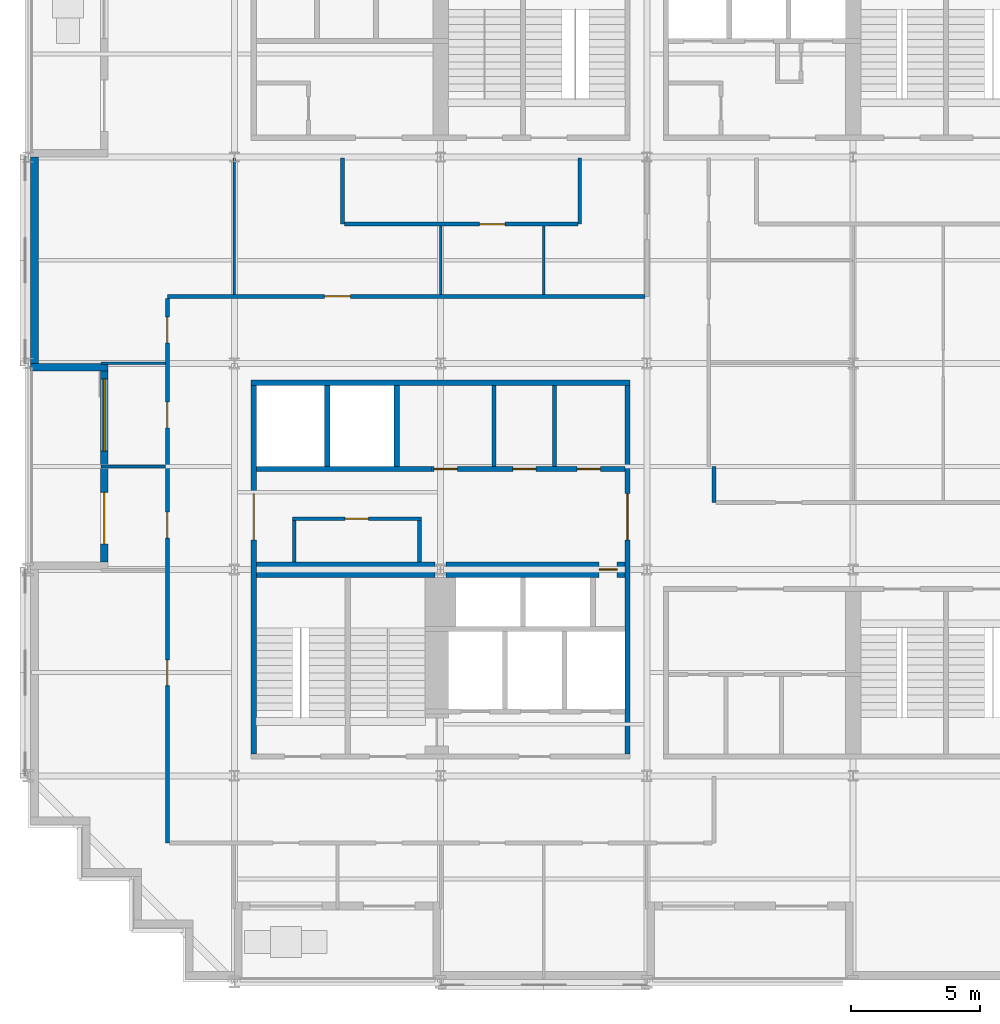
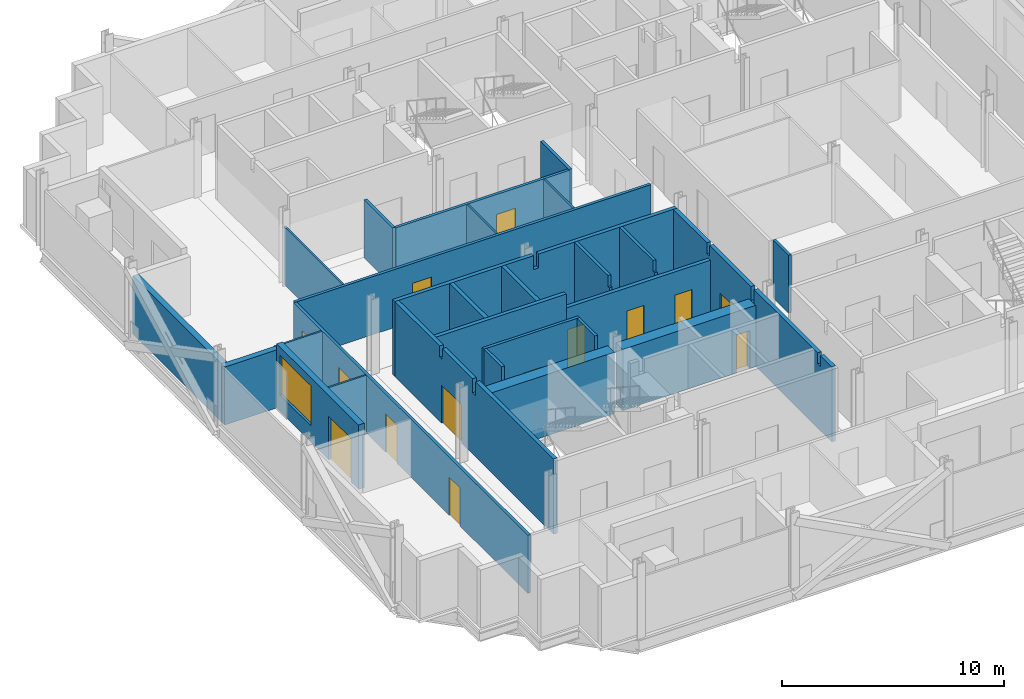
# One storey, part 7 of 15: 28 walls, 14 doors, 1 window, 15 openings.
"""IFC4 building model written with IfcOpenShell, lengths in metres."""

from ifc_helpers import new_model, si_unit, direction, frame, frame_2d, origin, place, context, subcontext, project, spatial, polyline, rectangle, outline, extrude, material, layer, layer_set, type_object, element, fill, save


model = new_model("IFC4")

# Units and contexts
model_context = context("Model", 3, precision=1e-05, world=origin(), true_north=direction((0.0, 1.0)))
body_context = subcontext(model_context, "Body", "Model", "MODEL_VIEW")
ifc_project = project(units=[si_unit("LENGTHUNIT", "METRE"), si_unit("AREAUNIT", "SQUARE_METRE"), si_unit("VOLUMEUNIT", "CUBIC_METRE"), si_unit("PLANEANGLEUNIT", "RADIAN"), si_unit("MASSUNIT", "GRAM", prefix="KILO")], contexts=[model_context])

# Site, building, storey
site_placement = place(None, origin())
site = spatial("IfcSite", under=ifc_project, at=site_placement, CompositionType="ELEMENT")
building_placement = place(site_placement, origin())
building = spatial("IfcBuilding", under=site, at=building_placement, Name="Immortelle Media Tower", CompositionType="ELEMENT")
storey_placement = place(building_placement, frame((0.0, 0.0, 109.60009765625)))
storey = spatial("IfcBuildingStorey", under=building, at=storey_placement, Name="L21", CompositionType="ELEMENT", Elevation=109.60009765625)

# Wall, opening, door
ifc_material_1 = material(Name="Fire-rated masonry blockwork", Category="masonry")
ifc_layer_1 = layer(ifc_material_1, 0.60009765625)
ifc_layer_set_1 = layer_set([ifc_layer_1], Name="Fire-rated masonry blockwork")
wall_type_1 = type_object("IfcWallType", Name="Core grid-line wall 600", PredefinedType="PARTITIONING", material=ifc_layer_set_1)
wall_1_placement = place(storey_placement, frame((16.218505859375, 16.0, 0.0), z_axis=(0.0, 0.0, 1.0), x_axis=(1.0, 0.0, 0.0)))
wall_1 = element("IfcWall", 1, at=wall_1_placement, inside=storey, type_object=wall_type_1, Name="Core grid-line wall SW", PredefinedType="PARTITIONING", context=body_context, shape_type="SweptSolid", body=[
    extrude(rectangle(XDim=6.931396484375, YDim=0.60009765625, at=frame_2d((3.4658203125, 0.0))), origin(), (0.0, 0.0, 1.0), 3.3818359375),
])
opening_1_placement = place(wall_1_placement, frame((6.63134765625, 0.0, 0.0), z_axis=(0.0, 0.0, 1.0), x_axis=(-1.0, 0.0, 0.0)))
opening_1 = element("IfcOpeningElement", 2, at=opening_1_placement, cuts=wall_1, Name="Opening N7-K013", PredefinedType="OPENING", context=body_context, shape_type="SweptSolid", body=[
    extrude(rectangle(XDim=0.699951171875, YDim=2.10009765625, at=frame_2d((0.35009765625, 1.050048828125))), frame((0.0, 0.31005859375, 0.0), z_axis=(0.0, -1.0, 0.0), x_axis=(1.0, 0.0, 0.0)), (0.0, 0.0, 1.0), 0.6201171875),
])
ifc_material_2 = material(Name="Galvanised steel door leaf and frame ASTM A653", Category="steel")
door_type_1 = type_object("IfcDoorType", Name="Service door 700 x 2100", OperationType="NOTDEFINED", PredefinedType="NOTDEFINED", material=ifc_material_2)
door_1_placement = place(opening_1_placement, origin())
door_1 = element("IfcDoor", 3, at=door_1_placement, inside=storey, type_object=door_type_1, Name="Service N7-K013", OperationType="SINGLE_SWING_LEFT", OverallHeight=2.10009765625, OverallWidth=0.699951171875, PredefinedType="NOTDEFINED", context=body_context, shape_type="SweptSolid", body=[
    extrude(rectangle(XDim=0.699951171875, YDim=2.10009765625, at=frame_2d((0.35009765625, 1.050048828125))), frame((0.0, 0.02490234375, 0.0), z_axis=(0.0, -1.0, 0.0), x_axis=(1.0, 0.0, 0.0)), (0.0, 0.0, 1.0), 0.050048828125),
])
fill(opening_1, door_1)

# Wall
ifc_material_3 = material(Name="Fire-rated gypsum board", Category="gypsum")
ifc_layer_2 = layer(ifc_material_3, 0.02490234375)
ifc_material_4 = material(Name="Steel ASTM A653 SS Gr 50 stud frame with mineral wool", Category="steel")
ifc_layer_3 = layer(ifc_material_4, 0.10009765625)
ifc_layer_4 = layer(ifc_material_3, 0.02490234375)
ifc_layer_set_2 = layer_set([ifc_layer_2, ifc_layer_3, ifc_layer_4], Name="Steel ASTM A653 SS Gr 50 stud frame with mineral wool")
wall_type_2 = type_object("IfcWallType", Name="Core partition 150", PredefinedType="PARTITIONING", material=ifc_layer_set_2)
wall_2_placement = place(storey_placement, frame((10.324951171875, 16.300048828125, 0.0), z_axis=(0.0, 0.0, 1.0), x_axis=(0.0, 1.0, 0.0)))
element("IfcWall", 4, at=wall_2_placement, inside=storey, type_object=wall_type_2, Name="Core partition SW", PredefinedType="PARTITIONING", context=body_context, shape_type="SweptSolid", body=[
    extrude(rectangle(XDim=1.599853515625, YDim=0.14990234375, at=frame_2d((0.7998046875, 0.0))), origin(), (0.0, 0.0, 1.0), 4.14990234375),
])

# Wall, opening, door
wall_3_placement = place(storey_placement, frame((10.25, 17.97509765625, 0.0), z_axis=(0.0, 0.0, 1.0), x_axis=(1.0, 0.0, 0.0)))
wall_3 = element("IfcWall", 5, at=wall_3_placement, inside=storey, type_object=wall_type_2, Name="Core partition SW", PredefinedType="PARTITIONING", context=body_context, shape_type="SweptSolid", body=[
    extrude(rectangle(XDim=5.0, YDim=0.14990234375, at=frame_2d((2.5, 0.0))), origin(), (0.0, 0.0, 1.0), 4.14990234375),
])
opening_2_placement = place(wall_3_placement, frame((2.949951171875, 0.0, 0.0), z_axis=(0.0, 0.0, 1.0), x_axis=(-1.0, 0.0, 0.0)))
opening_2 = element("IfcOpeningElement", 6, at=opening_2_placement, cuts=wall_3, Name="Opening N7-K003", PredefinedType="OPENING", context=body_context, shape_type="SweptSolid", body=[
    extrude(rectangle(XDim=0.89990234375, YDim=2.10009765625, at=frame_2d((0.449951171875, 1.050048828125))), frame((0.0, 0.0849609375, 0.0), z_axis=(0.0, -1.0, 0.0), x_axis=(1.0, 0.0, 0.0)), (0.0, 0.0, 1.0), 0.169921875),
])
ifc_material_5 = material(Name="Timber", Category="wood")
door_type_2 = type_object("IfcDoorType", Name="Room door 900 x 2100", OperationType="NOTDEFINED", PredefinedType="NOTDEFINED", material=ifc_material_5)
door_2_placement = place(opening_2_placement, origin())
door_2 = element("IfcDoor", 7, at=door_2_placement, inside=storey, type_object=door_type_2, Name="Room N7-K003", OperationType="SINGLE_SWING_RIGHT", OverallHeight=2.10009765625, OverallWidth=0.89990234375, PredefinedType="NOTDEFINED", context=body_context, shape_type="SweptSolid", body=[
    extrude(rectangle(XDim=0.89990234375, YDim=2.10009765625, at=frame_2d((0.449951171875, 1.050048828125))), frame((0.0, 0.02490234375, 0.0), z_axis=(0.0, -1.0, 0.0), x_axis=(1.0, 0.0, 0.0)), (0.0, 0.0, 1.0), 0.050048828125),
])
fill(opening_2, door_2)

# Walls
wall_4_placement = place(storey_placement, frame((15.175048828125, 16.300048828125, 0.0), z_axis=(0.0, 0.0, 1.0), x_axis=(0.0, 1.0, 0.0)))
element("IfcWall", 8, at=wall_4_placement, inside=storey, type_object=wall_type_2, Name="Core partition SW", PredefinedType="PARTITIONING", context=body_context, shape_type="SweptSolid", body=[
    extrude(rectangle(XDim=1.599853515625, YDim=0.14990234375, at=frame_2d((0.7998046875, 0.0))), origin(), (0.0, 0.0, 1.0), 4.14990234375),
])
for number, where, z_axis, x_axis, name in (
    (9, (18.074951171875, 20.0, 0.0), (0.0, 0.0, 1.0), (0.0, 1.0, 0.0), "Core partition SW"),
    (10, (20.425048828125, 20.0, 0.0), (0.0, 0.0, 1.0), (0.0, 1.0, 0.0), "Core partition SW"),
):
    element("IfcWall", number, at=place(storey_placement, frame(where, z_axis=z_axis, x_axis=x_axis)), inside=storey, type_object=wall_type_2, Name=name, PredefinedType="PARTITIONING", context=body_context, shape_type="SweptSolid", body=[
        extrude(outline(polyline([(0.0, 0.0), (3.14990234375, 0.0), (3.14990234375, 4.14990234375), (0.118896484375, 4.14990234375), (0.117919921875, 3.5419921875), (0.0, 3.5419921875), (0.0, 0.0)])), frame((0.0, 0.074951171875, 0.0), z_axis=(0.0, -1.0, 0.0), x_axis=(1.0, 0.0, 0.0)), (0.0, 0.0, 1.0), 0.14990234375),
    ])
ifc_layer_5 = layer(ifc_material_3, 0.03759765625)
ifc_layer_6 = layer(ifc_material_4, 0.125)
ifc_layer_7 = layer(ifc_material_3, 0.03759765625)
ifc_layer_set_3 = layer_set([ifc_layer_5, ifc_layer_6, ifc_layer_7], Name="Steel ASTM A653 SS Gr 50 stud frame with mineral wool")
wall_type_3 = type_object("IfcWallType", Name="Core shaft wall 200", PredefinedType="PARTITIONING", material=ifc_layer_set_3)
wall_5_placement = place(storey_placement, frame((8.64990234375, 23.25, 0.0), z_axis=(0.0, 0.0, 1.0), x_axis=(1.0, 0.0, 0.0)))
element("IfcWall", 11, at=wall_5_placement, inside=storey, type_object=wall_type_3, Name="Core shaft wall SW", PredefinedType="PARTITIONING", context=body_context, shape_type="SweptSolid", body=[
    extrude(outline(polyline([(0.0, 0.0), (14.7001953125, 0.0), (14.699951171875, 4.14990234375), (7.488525390625, 4.14990234375), (7.487548828125, 3.3818359375), (7.21240234375, 3.3818359375), (7.21142578125, 4.14990234375), (0.0, 4.14990234375), (0.0, 0.0)])), frame((0.0, 0.10009765625, 0.0), z_axis=(0.0, -1.0, 0.0), x_axis=(1.0, 0.0, 0.0)), (0.0, 0.0, 1.0), 0.199951171875),
])
wall_6_placement = place(storey_placement, frame((8.85009765625, 19.89990234375, 0.0), z_axis=(0.0, 0.0, 1.0), x_axis=(1.0, 0.0, 0.0)))
element("IfcWall", 12, at=wall_6_placement, inside=storey, type_object=wall_type_3, Name="Core shaft wall SW", PredefinedType="PARTITIONING", context=body_context, shape_type="SweptSolid", body=[
    extrude(rectangle(XDim=6.7998046875, YDim=0.199951171875, at=frame_2d((3.39990234375, 0.0))), origin(), (0.0, 0.0, 1.0), 4.14990234375),
])

# Wall, openings, doors
wall_7_placement = place(storey_placement, frame((15.64990234375, 19.89990234375, 0.0), z_axis=(0.0, 0.0, 1.0), x_axis=(1.0, 0.0, 0.0)))
wall_7 = element("IfcWall", 13, at=wall_7_placement, inside=storey, type_object=wall_type_3, Name="Core shaft wall SW", PredefinedType="PARTITIONING", context=body_context, shape_type="SweptSolid", body=[
    extrude(rectangle(XDim=7.5, YDim=0.199951171875, at=frame_2d((3.75, 0.0))), origin(), (0.0, 0.0, 1.0), 3.3818359375),
])
opening_3_placement = place(wall_7_placement, frame((0.10009765625, 0.0, 0.0)))
opening_3 = element("IfcOpeningElement", 14, at=opening_3_placement, cuts=wall_7, Name="Opening N7-K006", PredefinedType="OPENING", context=body_context, shape_type="SweptSolid", body=[
    extrude(rectangle(XDim=0.89990234375, YDim=2.10009765625, at=frame_2d((0.449951171875, 1.050048828125))), frame((0.0, 0.10986328125, 0.0), z_axis=(0.0, -1.0, 0.0), x_axis=(1.0, 0.0, 0.0)), (0.0, 0.0, 1.0), 0.219970703125),
])
opening_4_placement = place(wall_7_placement, frame((3.14990234375, 0.0, 0.0)))
opening_4 = element("IfcOpeningElement", 15, at=opening_4_placement, cuts=wall_7, Name="Opening N7-K008", PredefinedType="OPENING", context=body_context, shape_type="SweptSolid", body=[
    extrude(rectangle(XDim=0.89990234375, YDim=2.10009765625, at=frame_2d((0.449951171875, 1.050048828125))), frame((0.0, 0.10986328125, 0.0), z_axis=(0.0, -1.0, 0.0), x_axis=(1.0, 0.0, 0.0)), (0.0, 0.0, 1.0), 0.219970703125),
])
opening_5_placement = place(wall_7_placement, frame((5.64990234375, 0.0, 0.0)))
opening_5 = element("IfcOpeningElement", 16, at=opening_5_placement, cuts=wall_7, Name="Opening N7-K011", PredefinedType="OPENING", context=body_context, shape_type="SweptSolid", body=[
    extrude(rectangle(XDim=0.89990234375, YDim=2.10009765625, at=frame_2d((0.449951171875, 1.050048828125))), frame((0.0, 0.10986328125, 0.0), z_axis=(0.0, -1.0, 0.0), x_axis=(1.0, 0.0, 0.0)), (0.0, 0.0, 1.0), 0.219970703125),
])
door_3_placement = place(opening_3_placement, origin())
door_3 = element("IfcDoor", 17, at=door_3_placement, inside=storey, type_object=door_type_2, Name="Room N7-K006", OperationType="SINGLE_SWING_RIGHT", OverallHeight=2.10009765625, OverallWidth=0.89990234375, PredefinedType="NOTDEFINED", context=body_context, shape_type="SweptSolid", body=[
    extrude(rectangle(XDim=0.89990234375, YDim=2.10009765625, at=frame_2d((0.449951171875, 1.050048828125))), frame((0.0, 0.02490234375, 0.0), z_axis=(0.0, -1.0, 0.0), x_axis=(1.0, 0.0, 0.0)), (0.0, 0.0, 1.0), 0.050048828125),
])
fill(opening_3, door_3)
door_type_3 = type_object("IfcDoorType", Name="Toilet door 900 x 2100", OperationType="NOTDEFINED", PredefinedType="NOTDEFINED", material=ifc_material_5)
door_4_placement = place(opening_4_placement, origin())
door_4 = element("IfcDoor", 18, at=door_4_placement, inside=storey, type_object=door_type_3, Name="Toilet N7-K008", OperationType="SINGLE_SWING_LEFT", OverallHeight=2.10009765625, OverallWidth=0.89990234375, PredefinedType="NOTDEFINED", context=body_context, shape_type="SweptSolid", body=[
    extrude(rectangle(XDim=0.89990234375, YDim=2.10009765625, at=frame_2d((0.449951171875, 1.050048828125))), frame((0.0, 0.02490234375, 0.0), z_axis=(0.0, -1.0, 0.0), x_axis=(1.0, 0.0, 0.0)), (0.0, 0.0, 1.0), 0.050048828125),
])
fill(opening_4, door_4)
door_5_placement = place(opening_5_placement, origin())
door_5 = element("IfcDoor", 19, at=door_5_placement, inside=storey, type_object=door_type_3, Name="Toilet N7-K011", OperationType="SINGLE_SWING_RIGHT", OverallHeight=2.10009765625, OverallWidth=0.89990234375, PredefinedType="NOTDEFINED", context=body_context, shape_type="SweptSolid", body=[
    extrude(rectangle(XDim=0.89990234375, YDim=2.10009765625, at=frame_2d((0.449951171875, 1.050048828125))), frame((0.0, 0.02490234375, 0.0), z_axis=(0.0, -1.0, 0.0), x_axis=(1.0, 0.0, 0.0)), (0.0, 0.0, 1.0), 0.050048828125),
])
fill(opening_5, door_5)

# Walls
for number, where, z_axis, x_axis, name in (
    (20, (11.60009765625, 20.0, 0.0), (0.0, 0.0, 1.0), (0.0, 1.0, 0.0), "Core shaft wall SW"),
    (21, (14.300048828125, 20.0, 0.0), (0.0, 0.0, 1.0), (0.0, 1.0, 0.0), "Core shaft wall SW"),
):
    element("IfcWall", number, at=place(storey_placement, frame(where, z_axis=z_axis, x_axis=x_axis)), inside=storey, type_object=wall_type_3, Name=name, PredefinedType="PARTITIONING", context=body_context, shape_type="SweptSolid", body=[
        extrude(rectangle(XDim=3.14990234375, YDim=0.199951171875, at=frame_2d((1.574951171875, 0.0))), origin(), (0.0, 0.0, 1.0), 4.14990234375),
    ])

# Wall, opening, door
wall_8_placement = place(storey_placement, frame((23.25, 8.85009765625, 0.0), z_axis=(0.0, 0.0, 1.0), x_axis=(0.0, 1.0, 0.0)))
wall_8 = element("IfcWall", 22, at=wall_8_placement, inside=storey, type_object=wall_type_3, Name="Core shaft wall SW", PredefinedType="PARTITIONING", context=body_context, shape_type="SweptSolid", body=[
    extrude(outline(polyline([(0.0, 0.0), (14.2998046875, 0.0), (14.300048828125, 4.14990234375), (11.26904296875, 4.14990234375), (11.26806640625, 3.5419921875), (11.031982421875, 3.5419921875), (11.031005859375, 4.14990234375), (7.28857421875, 4.14990234375), (7.28759765625, 3.3818359375), (7.012451171875, 3.3818359375), (7.011474609375, 4.14990234375), (1.26904296875, 4.14990234375), (1.26806640625, 3.5419921875), (1.031982421875, 3.5419921875), (1.031005859375, 4.14990234375), (0.0, 4.14990234375), (0.0, 0.0)])), frame((0.0, 0.10009765625, 0.0), z_axis=(0.0, -1.0, 0.0), x_axis=(1.0, 0.0, 0.0)), (0.0, 0.0, 1.0), 0.199951171875),
])
opening_6_placement = place(wall_8_placement, frame((8.300048828125, 0.0, 0.0)))
opening_6 = element("IfcOpeningElement", 23, at=opening_6_placement, cuts=wall_8, Name="Opening N7-K014", PredefinedType="OPENING", context=body_context, shape_type="SweptSolid", body=[
    extrude(rectangle(XDim=1.800048828125, YDim=2.10009765625, at=frame_2d((0.89990234375, 1.050048828125))), frame((0.0, 0.10986328125, 0.0), z_axis=(0.0, -1.0, 0.0), x_axis=(1.0, 0.0, 0.0)), (0.0, 0.0, 1.0), 0.219970703125),
])
door_type_4 = type_object("IfcDoorType", Name="Lift lobby door 1800 x 2100", OperationType="DOUBLE_DOOR_SINGLE_SWING", PredefinedType="NOTDEFINED", material=ifc_material_2)
door_6_placement = place(opening_6_placement, origin())
door_6 = element("IfcDoor", 24, at=door_6_placement, inside=storey, type_object=door_type_4, Name="Lift lobby N7-K014", OperationType="DOUBLE_DOOR_SINGLE_SWING", OverallHeight=2.10009765625, OverallWidth=1.800048828125, PredefinedType="NOTDEFINED", context=body_context, shape_type="SweptSolid", body=[
    extrude(rectangle(XDim=1.800048828125, YDim=2.10009765625, at=frame_2d((0.89990234375, 1.050048828125))), frame((0.0, 0.02490234375, 0.0), z_axis=(0.0, -1.0, 0.0), x_axis=(1.0, 0.0, 0.0)), (0.0, 0.0, 1.0), 0.050048828125),
])
fill(opening_6, door_6)

# Wall, openings, doors
ifc_layer_8 = layer(ifc_material_3, 0.012451171875)
ifc_layer_9 = layer(ifc_material_4, 0.125)
ifc_layer_10 = layer(ifc_material_3, 0.012451171875)
ifc_layer_set_4 = layer_set([ifc_layer_8, ifc_layer_9, ifc_layer_10], Name="Steel ASTM A653 SS Gr 50 stud frame with mineral wool")
wall_type_4 = type_object("IfcWallType", Name="Corridor wall 150", PredefinedType="PARTITIONING", material=ifc_layer_set_4)
wall_9_placement = place(storey_placement, frame((5.39990234375, 5.39990234375, 0.0), z_axis=(0.0, 0.0, 1.0), x_axis=(0.0, 1.0, 0.0)))
wall_9 = element("IfcWall", 25, at=wall_9_placement, inside=storey, type_object=wall_type_4, Name="Partition L21-007", PredefinedType="PARTITIONING", context=body_context, shape_type="SweptSolid", body=[
    extrude(rectangle(XDim=21.125, YDim=0.14990234375, at=frame_2d((10.5625, 0.0))), origin(), (0.0, 0.0, 1.0), 3.19384765625),
])
opening_7_placement = place(wall_9_placement, frame((6.10009765625, 0.0, 0.0)))
opening_7 = element("IfcOpeningElement", 26, at=opening_7_placement, cuts=wall_9, Name="Opening N7-F006", PredefinedType="OPENING", context=body_context, shape_type="SweptSolid", body=[
    extrude(rectangle(XDim=1.0, YDim=2.10009765625, at=frame_2d((0.5, 1.050048828125))), frame((0.0, 0.0849609375, 0.0), z_axis=(0.0, -1.0, 0.0), x_axis=(1.0, 0.0, 0.0)), (0.0, 0.0, 1.0), 0.169921875),
])
opening_8_placement = place(wall_9_placement, frame((11.824951171875, 0.0, 0.0)))
opening_8 = element("IfcOpeningElement", 27, at=opening_8_placement, cuts=wall_9, Name="Opening N7-F009", PredefinedType="OPENING", context=body_context, shape_type="SweptSolid", body=[
    extrude(rectangle(XDim=1.0, YDim=2.10009765625, at=frame_2d((0.5, 1.050048828125))), frame((0.0, 0.0849609375, 0.0), z_axis=(0.0, -1.0, 0.0), x_axis=(1.0, 0.0, 0.0)), (0.0, 0.0, 1.0), 0.169921875),
])
opening_9_placement = place(wall_9_placement, frame((16.10009765625, 0.0, 0.0)))
opening_9 = element("IfcOpeningElement", 28, at=opening_9_placement, cuts=wall_9, Name="Opening N7-F010", PredefinedType="OPENING", context=body_context, shape_type="SweptSolid", body=[
    extrude(rectangle(XDim=1.0, YDim=2.10009765625, at=frame_2d((0.5, 1.050048828125))), frame((0.0, 0.0849609375, 0.0), z_axis=(0.0, -1.0, 0.0), x_axis=(1.0, 0.0, 0.0)), (0.0, 0.0, 1.0), 0.169921875),
])
opening_10_placement = place(wall_9_placement, frame((19.39990234375, 0.0, 0.0)))
opening_10 = element("IfcOpeningElement", 29, at=opening_10_placement, cuts=wall_9, Name="Opening N7-F022", PredefinedType="OPENING", context=body_context, shape_type="SweptSolid", body=[
    extrude(rectangle(XDim=1.0, YDim=2.10009765625, at=frame_2d((0.5, 1.050048828125))), frame((0.0, 0.0849609375, 0.0), z_axis=(0.0, -1.0, 0.0), x_axis=(1.0, 0.0, 0.0)), (0.0, 0.0, 1.0), 0.169921875),
])
ifc_material_6 = material(Name="Timber veneered door leaf, galvanised steel frame ASTM A653", Category="steel")
door_type_5 = type_object("IfcDoorType", Name="Room door 1000 x 2100", OperationType="NOTDEFINED", PredefinedType="DOOR", material=ifc_material_6)
door_7_placement = place(opening_7_placement, origin())
door_7 = element("IfcDoor", 30, at=door_7_placement, inside=storey, type_object=door_type_5, Name="Door N7-F006", OperationType="SINGLE_SWING_RIGHT", OverallHeight=2.10009765625, OverallWidth=1.0, PredefinedType="DOOR", context=body_context, shape_type="SweptSolid", body=[
    extrude(rectangle(XDim=1.0, YDim=2.10009765625, at=frame_2d((0.5, 1.050048828125))), frame((0.0, 0.02490234375, 0.0), z_axis=(0.0, -1.0, 0.0), x_axis=(1.0, 0.0, 0.0)), (0.0, 0.0, 1.0), 0.050048828125),
])
fill(opening_7, door_7)
door_8_placement = place(opening_8_placement, origin())
door_8 = element("IfcDoor", 31, at=door_8_placement, inside=storey, type_object=door_type_5, Name="Door N7-F009", OperationType="SINGLE_SWING_LEFT", OverallHeight=2.10009765625, OverallWidth=1.0, PredefinedType="DOOR", context=body_context, shape_type="SweptSolid", body=[
    extrude(rectangle(XDim=1.0, YDim=2.10009765625, at=frame_2d((0.5, 1.050048828125))), frame((0.0, 0.02490234375, 0.0), z_axis=(0.0, -1.0, 0.0), x_axis=(1.0, 0.0, 0.0)), (0.0, 0.0, 1.0), 0.050048828125),
])
fill(opening_8, door_8)
door_9_placement = place(opening_9_placement, origin())
door_9 = element("IfcDoor", 32, at=door_9_placement, inside=storey, type_object=door_type_5, Name="Door N7-F010", OperationType="SINGLE_SWING_LEFT", OverallHeight=2.10009765625, OverallWidth=1.0, PredefinedType="DOOR", context=body_context, shape_type="SweptSolid", body=[
    extrude(rectangle(XDim=1.0, YDim=2.10009765625, at=frame_2d((0.5, 1.050048828125))), frame((0.0, 0.02490234375, 0.0), z_axis=(0.0, -1.0, 0.0), x_axis=(1.0, 0.0, 0.0)), (0.0, 0.0, 1.0), 0.050048828125),
])
fill(opening_9, door_9)
door_10_placement = place(opening_10_placement, origin())
door_10 = element("IfcDoor", 33, at=door_10_placement, inside=storey, type_object=door_type_5, Name="Door N7-F022", OperationType="SINGLE_SWING_LEFT", OverallHeight=2.10009765625, OverallWidth=1.0, PredefinedType="DOOR", context=body_context, shape_type="SweptSolid", body=[
    extrude(rectangle(XDim=1.0, YDim=2.10009765625, at=frame_2d((0.5, 1.050048828125))), frame((0.0, 0.02490234375, 0.0), z_axis=(0.0, -1.0, 0.0), x_axis=(1.0, 0.0, 0.0)), (0.0, 0.0, 1.0), 0.050048828125),
])
fill(opening_10, door_10)

# Wall
wall_10_placement = place(storey_placement, frame((26.60009765625, 18.60009765625, 0.0), z_axis=(0.0, 0.0, 1.0), x_axis=(0.0, 1.0, 0.0)))
element("IfcWall", 34, at=wall_10_placement, inside=storey, type_object=wall_type_4, Name="Partition L21-016", PredefinedType="PARTITIONING", context=body_context, shape_type="SweptSolid", body=[
    extrude(rectangle(XDim=1.39990234375, YDim=0.14990234375, at=frame_2d((0.699951171875, 0.0))), origin(), (0.0, 0.0, 1.0), 3.19384765625),
])

# Wall, opening, door
wall_11_placement = place(storey_placement, frame((5.39990234375, 26.60009765625, 0.0), z_axis=(0.0, 0.0, 1.0), x_axis=(1.0, 0.0, 0.0)))
wall_11 = element("IfcWall", 35, at=wall_11_placement, inside=storey, type_object=wall_type_4, Name="Partition L21-027", PredefinedType="PARTITIONING", context=body_context, shape_type="SweptSolid", body=[
    extrude(rectangle(XDim=18.525146484375, YDim=0.14990234375, at=frame_2d((9.2626953125, 0.0))), origin(), (0.0, 0.0, 1.0), 3.19384765625),
])
opening_11_placement = place(wall_11_placement, frame((6.10009765625, 0.0, 0.0)))
opening_11 = element("IfcOpeningElement", 36, at=opening_11_placement, cuts=wall_11, Name="Opening N7-F021", PredefinedType="OPENING", context=body_context, shape_type="SweptSolid", body=[
    extrude(rectangle(XDim=1.0, YDim=2.10009765625, at=frame_2d((0.5, 1.050048828125))), frame((0.0, 0.0849609375, 0.0), z_axis=(0.0, -1.0, 0.0), x_axis=(1.0, 0.0, 0.0)), (0.0, 0.0, 1.0), 0.169921875),
])
door_11_placement = place(opening_11_placement, origin())
door_11 = element("IfcDoor", 37, at=door_11_placement, inside=storey, type_object=door_type_5, Name="Door N7-F021", OperationType="SINGLE_SWING_LEFT", OverallHeight=2.10009765625, OverallWidth=1.0, PredefinedType="DOOR", context=body_context, shape_type="SweptSolid", body=[
    extrude(rectangle(XDim=1.0, YDim=2.10009765625, at=frame_2d((0.5, 1.050048828125))), frame((0.0, 0.02490234375, 0.0), z_axis=(0.0, -1.0, 0.0), x_axis=(1.0, 0.0, 0.0)), (0.0, 0.0, 1.0), 0.050048828125),
])
fill(opening_11, door_11)

wall_12_placement = place(storey_placement, frame((12.27490234375, 29.39990234375, 0.0), z_axis=(0.0, 0.0, 1.0), x_axis=(1.0, 0.0, 0.0)))
wall_12 = element("IfcWall", 38, at=wall_12_placement, inside=storey, type_object=wall_type_4, Name="Partition L21-034", PredefinedType="PARTITIONING", context=body_context, shape_type="SweptSolid", body=[
    extrude(rectangle(XDim=9.050048828125, YDim=0.14990234375, at=frame_2d((4.52490234375, 0.0))), origin(), (0.0, 0.0, 1.0), 3.19384765625),
])
opening_12_placement = place(wall_12_placement, frame((6.22509765625, 0.0, 0.0), z_axis=(0.0, 0.0, 1.0), x_axis=(-1.0, 0.0, 0.0)))
opening_12 = element("IfcOpeningElement", 39, at=opening_12_placement, cuts=wall_12, Name="Opening N7-F019", PredefinedType="OPENING", context=body_context, shape_type="SweptSolid", body=[
    extrude(rectangle(XDim=1.0, YDim=2.10009765625, at=frame_2d((0.5, 1.050048828125))), frame((0.0, 0.0849609375, 0.0), z_axis=(0.0, -1.0, 0.0), x_axis=(1.0, 0.0, 0.0)), (0.0, 0.0, 1.0), 0.169921875),
])
door_12_placement = place(opening_12_placement, origin())
door_12 = element("IfcDoor", 40, at=door_12_placement, inside=storey, type_object=door_type_5, Name="Door N7-F019", OperationType="SINGLE_SWING_RIGHT", OverallHeight=2.10009765625, OverallWidth=1.0, PredefinedType="DOOR", context=body_context, shape_type="SweptSolid", body=[
    extrude(rectangle(XDim=1.0, YDim=2.10009765625, at=frame_2d((0.5, 1.050048828125))), frame((0.0, 0.02490234375, 0.0), z_axis=(0.0, -1.0, 0.0), x_axis=(1.0, 0.0, 0.0)), (0.0, 0.0, 1.0), 0.050048828125),
])
fill(opening_12, door_12)

# Walls
for number, where, z_axis, x_axis, name in (
    (41, (12.199951171875, 29.39990234375, 0.0), (0.0, 0.0, 1.0), (0.0, 1.0, 0.0), "Partition L21-035"),
    (42, (21.39990234375, 29.39990234375, 0.0), (0.0, 0.0, 1.0), (0.0, 1.0, 0.0), "Partition L21-036"),
):
    element("IfcWall", number, at=place(storey_placement, frame(where, z_axis=z_axis, x_axis=x_axis)), inside=storey, type_object=wall_type_4, Name=name, PredefinedType="PARTITIONING", context=body_context, shape_type="SweptSolid", body=[
        extrude(rectangle(XDim=2.570068359375, YDim=0.14990234375, at=frame_2d((1.28515625, 0.0))), origin(), (0.0, 0.0, 1.0), 3.19384765625),
    ])
ifc_material_7 = material(Name="Pale aluminium cladding panel", Category="aluminium")
ifc_layer_11 = layer(ifc_material_7, 0.030029296875)
ifc_layer_12 = layer(ifc_material_4, 0.257568359375)
ifc_material_8 = material(Name="Moisture-resistant gypsum board", Category="gypsum")
ifc_layer_13 = layer(ifc_material_8, 0.012451171875)
ifc_layer_set_5 = layer_set([ifc_layer_11, ifc_layer_12, ifc_layer_13], Name="Steel ASTM A653 SS Gr 50 stud frame with mineral wool")
wall_type_5 = type_object("IfcWallType", Name="Facade wall 300", PredefinedType="SOLIDWALL", material=ifc_layer_set_5)
wall_13_placement = place(storey_placement, frame((0.25, 32.0, 0.0), z_axis=(0.0, 0.0, 1.0), x_axis=(0.0, -1.0, 0.0)))
element("IfcWall", 43, at=wall_13_placement, inside=storey, type_object=wall_type_5, Name="Facade wall L21 W0", PredefinedType="SOLIDWALL", context=body_context, shape_type="SweptSolid", body=[
    extrude(rectangle(XDim=8.0, YDim=0.300048828125, at=frame_2d((4.0, 0.0))), origin(), (0.0, 0.0, 1.0), 3.198974609375),
])

# Wall, openings, door, window
wall_14_placement = place(storey_placement, frame((2.949951171875, 23.699951171875, 0.0), z_axis=(0.0, 0.0, 1.0), x_axis=(0.0, -1.0, 0.0)))
wall_14 = element("IfcWall", 44, at=wall_14_placement, inside=storey, type_object=wall_type_5, Name="Loggia wall L21 W0", PredefinedType="SOLIDWALL", context=body_context, shape_type="SweptSolid", body=[
    extrude(rectangle(XDim=7.39990234375, YDim=0.300048828125, at=frame_2d((3.699951171875, 0.0))), origin(), (0.0, 0.0, 1.0), 3.546875),
])
opening_13_placement = place(wall_14_placement, frame((0.300048828125, 0.0, 0.89990234375)))
opening_13 = element("IfcOpeningElement", 45, at=opening_13_placement, cuts=wall_14, Name="Opening W1", PredefinedType="OPENING", context=body_context, shape_type="SweptSolid", body=[
    extrude(rectangle(XDim=2.800048828125, YDim=2.199951171875, at=frame_2d((1.39990234375, 1.10009765625))), frame((0.0, 0.159912109375, 0.0), z_axis=(0.0, -1.0, 0.0), x_axis=(1.0, 0.0, 0.0)), (0.0, 0.0, 1.0), 0.320068359375),
])
opening_14_placement = place(wall_14_placement, frame((4.699951171875, 0.0, 0.0)))
opening_14 = element("IfcOpeningElement", 46, at=opening_14_placement, cuts=wall_14, Name="Opening N7-E002", PredefinedType="OPENING", context=body_context, shape_type="SweptSolid", body=[
    extrude(rectangle(XDim=2.0, YDim=2.39990234375, at=frame_2d((1.0, 1.199951171875))), frame((0.0, 0.159912109375, 0.0), z_axis=(0.0, -1.0, 0.0), x_axis=(1.0, 0.0, 0.0)), (0.0, 0.0, 1.0), 0.320068359375),
])
ifc_material_9 = material(Name="Aluminium frame, glazed leaves", Category="aluminium")
door_type_6 = type_object("IfcDoorType", Name="Loggia door 2000 x 2400", OperationType="DOUBLE_DOOR_SINGLE_SWING", PredefinedType="DOOR", material=ifc_material_9)
door_13_placement = place(opening_14_placement, origin())
door_13 = element("IfcDoor", 47, at=door_13_placement, inside=storey, type_object=door_type_6, Name="Door N7-E002", OperationType="DOUBLE_DOOR_SINGLE_SWING", OverallHeight=2.39990234375, OverallWidth=2.0, PredefinedType="DOOR", context=body_context, shape_type="SweptSolid", body=[
    extrude(rectangle(XDim=2.0, YDim=2.39990234375, at=frame_2d((1.0, 1.199951171875))), frame((0.0, 0.02490234375, 0.0), z_axis=(0.0, -1.0, 0.0), x_axis=(1.0, 0.0, 0.0)), (0.0, 0.0, 1.0), 0.050048828125),
])
fill(opening_14, door_13)
ifc_material_10 = material(Name="Aluminium frame", Category="aluminium")
window_type = type_object("IfcWindowType", Name="Window 2800 x 2200", PartitioningType="SINGLE_PANEL", PredefinedType="WINDOW", material=ifc_material_10)
window_placement = place(opening_13_placement, origin())
window = element("IfcWindow", 48, at=window_placement, inside=storey, type_object=window_type, Name="Window L21 L21-R0-B2", OverallHeight=2.199951171875, OverallWidth=2.800048828125, PartitioningType="SINGLE_PANEL", PredefinedType="WINDOW", context=body_context, shape_type="SweptSolid", body=[
    extrude(rectangle(XDim=2.800048828125, YDim=2.199951171875, at=frame_2d((1.39990234375, 1.10009765625))), frame((0.0, 0.030029296875, 0.0), z_axis=(0.0, -1.0, 0.0), x_axis=(1.0, 0.0, 0.0)), (0.0, 0.0, 1.0), 0.06005859375),
])
fill(opening_13, window)

# Walls
wall_15_placement = place(storey_placement, frame((0.10009765625, 23.85009765625, 0.0), z_axis=(0.0, 0.0, 1.0), x_axis=(1.0, 0.0, 0.0)))
element("IfcWall", 49, at=wall_15_placement, inside=storey, type_object=wall_type_5, Name="Loggia cheek wall L21 W", PredefinedType="SOLIDWALL", context=body_context, shape_type="SweptSolid", body=[
    extrude(rectangle(XDim=3.0, YDim=0.300048828125, at=frame_2d((1.5, 0.0))), origin(), (0.0, 0.0, 1.0), 3.198974609375),
])
ifc_material_11 = material(Name="Gypsum board", Category="gypsum")
ifc_layer_14 = layer(ifc_material_11, 0.012451171875)
ifc_layer_15 = layer(ifc_material_4, 0.074951171875)
ifc_layer_16 = layer(ifc_material_11, 0.012451171875)
ifc_layer_set_6 = layer_set([ifc_layer_14, ifc_layer_15, ifc_layer_16], Name="Steel ASTM A653 SS Gr 50 stud frame with mineral wool")
wall_type_6 = type_object("IfcWallType", Name="Partition 100", PredefinedType="PARTITIONING", material=ifc_layer_set_6)
for number, where, z_axis, x_axis, name in (
    (50, (2.830078125, 20.0, 0.0), (0.0, 0.0, 1.0), (1.0, 0.0, 0.0), "Partition L21-020"),
    (51, (2.830078125, 24.0, 0.0), (0.0, 0.0, 1.0), (1.0, 0.0, 0.0), "Partition L21-023"),
):
    element("IfcWall", number, at=place(storey_placement, frame(where, z_axis=z_axis, x_axis=x_axis)), inside=storey, type_object=wall_type_6, Name=name, PredefinedType="PARTITIONING", context=body_context, shape_type="SweptSolid", body=[
        extrude(rectangle(XDim=2.494873046875, YDim=0.10009765625, at=frame_2d((1.24755859375, 0.0))), origin(), (0.0, 0.0, 1.0), 3.19384765625),
    ])
wall_16_placement = place(storey_placement, frame((8.0, 26.675048828125, 0.0), z_axis=(0.0, 0.0, 1.0), x_axis=(0.0, 1.0, 0.0)))
element("IfcWall", 52, at=wall_16_placement, inside=storey, type_object=wall_type_6, Name="Partition L21-028", PredefinedType="PARTITIONING", context=body_context, shape_type="SweptSolid", body=[
    extrude(rectangle(XDim=5.294921875, YDim=0.10009765625, at=frame_2d((2.6474609375, 0.0))), origin(), (0.0, 0.0, 1.0), 3.19384765625),
])
for number, where, z_axis, x_axis, name in (
    (53, (16.0, 26.675048828125, 0.0), (0.0, 0.0, 1.0), (0.0, 1.0, 0.0), "Partition L21-029"),
    (54, (20.0, 26.675048828125, 0.0), (0.0, 0.0, 1.0), (0.0, 1.0, 0.0), "Partition L21-030"),
):
    element("IfcWall", number, at=place(storey_placement, frame(where, z_axis=z_axis, x_axis=x_axis)), inside=storey, type_object=wall_type_6, Name=name, PredefinedType="PARTITIONING", context=body_context, shape_type="SweptSolid", body=[
        extrude(rectangle(XDim=2.64990234375, YDim=0.10009765625, at=frame_2d((1.324951171875, 0.0))), origin(), (0.0, 0.0, 1.0), 3.19384765625),
    ])

# Wall, opening, door
ifc_material_12 = material(Name="Concrete C60", Category="concrete")
ifc_layer_17 = layer(ifc_material_12, 0.199951171875)
ifc_layer_set_7 = layer_set([ifc_layer_17], Name="Concrete C60")
wall_type_7 = type_object("IfcWallType", Name="Stair shaft wall 200", PredefinedType="PARTITIONING", material=ifc_layer_set_7)
wall_17_placement = place(storey_placement, frame((8.75, 8.85009765625, 0.0), z_axis=(0.0, 0.0, 1.0), x_axis=(0.0, 1.0, 0.0)))
wall_17 = element("IfcWall", 55, at=wall_17_placement, inside=storey, type_object=wall_type_7, Name="Stair shaft wall SW", PredefinedType="PARTITIONING", context=body_context, shape_type="SweptSolid", body=[
    extrude(outline(polyline([(0.0, 0.0), (14.2998046875, 0.0), (14.300048828125, 4.14990234375), (10.26904296875, 4.14990234375), (10.26806640625, 3.5419921875), (10.031982421875, 3.5419921875), (10.031005859375, 4.14990234375), (7.28857421875, 4.14990234375), (7.28759765625, 3.3818359375), (7.012451171875, 3.3818359375), (7.011474609375, 4.14990234375), (0.0, 4.14990234375), (0.0, 0.0)])), frame((0.0, 0.10009765625, 0.0), z_axis=(0.0, -1.0, 0.0), x_axis=(1.0, 0.0, 0.0)), (0.0, 0.0, 1.0), 0.199951171875),
])
opening_15_placement = place(wall_17_placement, frame((8.300048828125, 0.0, 0.0)))
opening_15 = element("IfcOpeningElement", 56, at=opening_15_placement, cuts=wall_17, Name="Opening N7-K001", PredefinedType="OPENING", context=body_context, shape_type="SweptSolid", body=[
    extrude(rectangle(XDim=1.800048828125, YDim=2.10009765625, at=frame_2d((0.89990234375, 1.050048828125))), frame((0.0, 0.10986328125, 0.0), z_axis=(0.0, -1.0, 0.0), x_axis=(1.0, 0.0, 0.0)), (0.0, 0.0, 1.0), 0.219970703125),
])
door_14_placement = place(opening_15_placement, origin())
door_14 = element("IfcDoor", 57, at=door_14_placement, inside=storey, type_object=door_type_4, Name="Lift lobby N7-K001", OperationType="DOUBLE_DOOR_SINGLE_SWING", OverallHeight=2.10009765625, OverallWidth=1.800048828125, PredefinedType="NOTDEFINED", context=body_context, shape_type="SweptSolid", body=[
    extrude(rectangle(XDim=1.800048828125, YDim=2.10009765625, at=frame_2d((0.89990234375, 1.050048828125))), frame((0.0, 0.02490234375, 0.0), z_axis=(0.0, -1.0, 0.0), x_axis=(1.0, 0.0, 0.0)), (0.0, 0.0, 1.0), 0.050048828125),
])
fill(opening_15, door_14)

# Wall
ifc_layer_18 = layer(ifc_material_12, 0.60009765625)
ifc_layer_set_8 = layer_set([ifc_layer_18], Name="Concrete C60")
wall_type_8 = type_object("IfcWallType", Name="Stair shaft wall 600", PredefinedType="PARTITIONING", material=ifc_layer_set_8)
wall_18_placement = place(storey_placement, frame((8.85009765625, 16.0, 0.0), z_axis=(0.0, 0.0, 1.0), x_axis=(1.0, 0.0, 0.0)))
element("IfcWall", 58, at=wall_18_placement, inside=storey, type_object=wall_type_8, Name="Stair shaft wall SW", PredefinedType="PARTITIONING", context=body_context, shape_type="SweptSolid", body=[
    extrude(rectangle(XDim=6.931396484375, YDim=0.60009765625, at=frame_2d((3.4658203125, 0.0))), origin(), (0.0, 0.0, 1.0), 3.3818359375),
])

save(model, "model.ifc")
